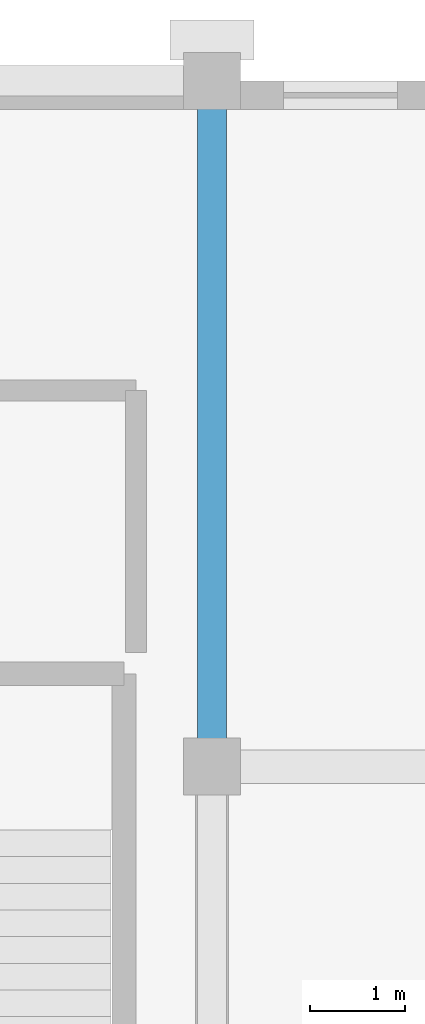
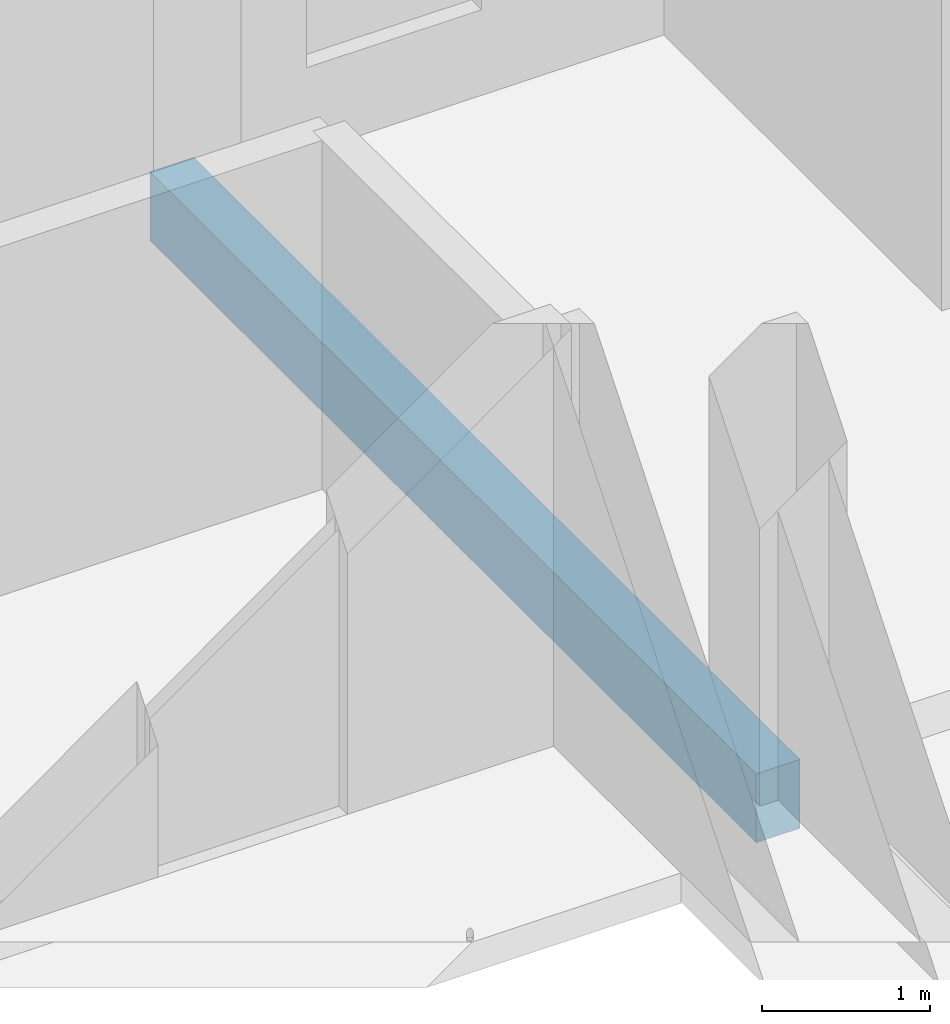
# One storey, part 14 of 24: 1 beam.
"""IFC4 building model written with IfcOpenShell, lengths in metres."""

from ifc_helpers import new_model, si_unit, direction, frame, origin, origin_2d, place, context, subcontext, project, spatial, rectangle, extrude, material, material_profile, profile_set, type_object, element, save


model = new_model("IFC4")

# Units and contexts
model_context = context("Model", 3, precision=1e-05, world=origin(), true_north=direction((0.0, 1.0)))
body_context = subcontext(model_context, "Body", "Model", "MODEL_VIEW")
ifc_project = project(units=[si_unit("LENGTHUNIT", "METRE"), si_unit("AREAUNIT", "SQUARE_METRE"), si_unit("VOLUMEUNIT", "CUBIC_METRE"), si_unit("PLANEANGLEUNIT", "RADIAN"), si_unit("MASSUNIT", "GRAM", prefix="KILO")], contexts=[model_context])

# Site, building, storey
site_placement = place(None, origin())
site = spatial("IfcSite", under=ifc_project, at=site_placement, CompositionType="ELEMENT")
building_placement = place(site_placement, origin())
building = spatial("IfcBuilding", under=site, at=building_placement, Name="Akrevak Sports Hall", CompositionType="ELEMENT")
storey_placement = place(building_placement, frame((0.0, 0.0, 63.300048828125)))
storey = spatial("IfcBuildingStorey", under=building, at=storey_placement, Name="L16", CompositionType="ELEMENT", Elevation=63.300048828125)

# Beam
ifc_material = material(Name="Concrete C40/50", Category="concrete")
ifc_material_profile = material_profile(ifc_material, rectangle(XDim=0.300048828125, YDim=0.5, at=origin_2d()), Name="BM 300x500", Category="concrete")
ifc_profile_set = profile_set([ifc_material_profile], Name="Concrete C40/50")
beam_type = type_object("IfcBeamType", Name="STR-BM-RC300x500", PredefinedType="BEAM", material=ifc_profile_set)
beam_placement = place(storey_placement, frame((100.0, 62.39990234375, -0.25), z_axis=(0.0, 1.0, 0.0), x_axis=(-1.0, 0.0, 0.0)))
element("IfcBeam", 1, at=beam_placement, inside=storey, type_object=beam_type, Name="Girder 14/J-K (L16)", PredefinedType="BEAM", context=body_context, shape_type="SweptSolid", body=[
    extrude(rectangle(XDim=0.300048828125, YDim=0.5, at=origin_2d()), origin(), (0.0, 0.0, 1.0), 7.2001953125),
])

save(model, "model.ifc")
